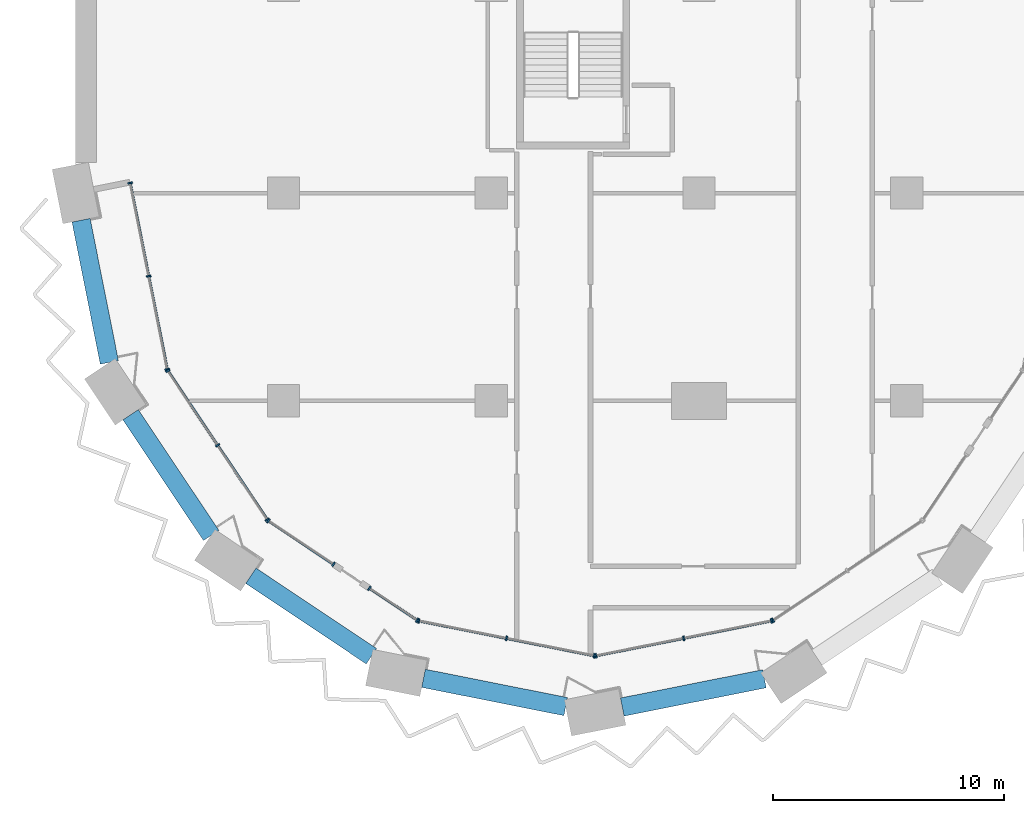
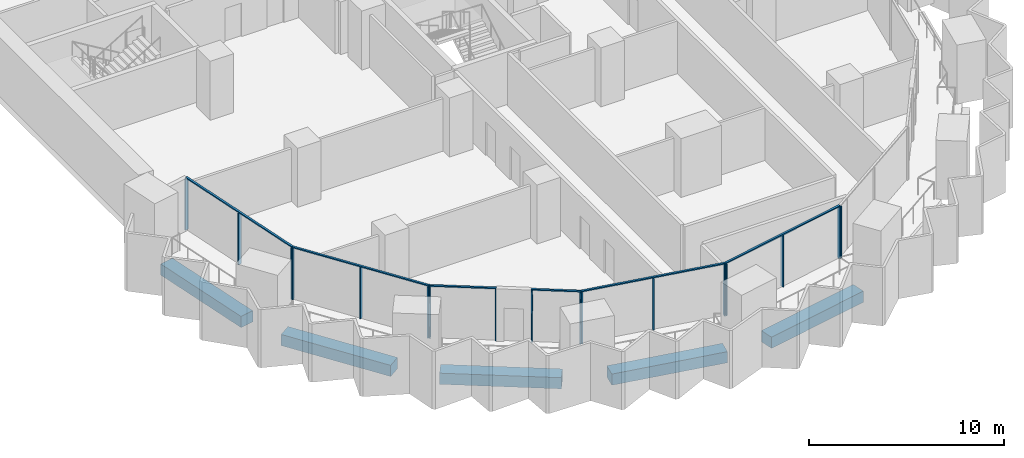
# One storey, part 2 of 29: 23 members, 5 beams, 7 elements without a shape of their own.
"""IFC4 building model written with IfcOpenShell, lengths in metres."""

from ifc_helpers import new_model, si_unit, direction, frame, origin, origin_2d, place, context, subcontext, project, spatial, rectangle, extrude, material, material_profile, profile_set, type_object, element, aggregate, save


model = new_model("IFC4")

# Units and contexts
model_context = context("Model", 3, precision=1e-05, world=origin(), true_north=direction((0.0, 1.0)))
body_context = subcontext(model_context, "Body", "Model", "MODEL_VIEW")
ifc_project = project(units=[si_unit("LENGTHUNIT", "METRE"), si_unit("AREAUNIT", "SQUARE_METRE"), si_unit("VOLUMEUNIT", "CUBIC_METRE"), si_unit("PLANEANGLEUNIT", "RADIAN"), si_unit("MASSUNIT", "GRAM", prefix="KILO")], contexts=[model_context])

# Site, building, storey
site_placement = place(None, origin())
site = spatial("IfcSite", under=ifc_project, at=site_placement, CompositionType="ELEMENT")
building_placement = place(site_placement, origin())
building = spatial("IfcBuilding", under=site, at=building_placement, Name="Hunhe Ridgeline Campus", CompositionType="ELEMENT")
storey_placement = place(building_placement, frame((0.0, 0.0, 46.89990234375)))
storey = spatial("IfcBuildingStorey", under=building, at=storey_placement, Name="L10", CompositionType="ELEMENT", Elevation=46.89990234375)

# Curtain wall, members
ifc_material_1 = material(Name="Aluminium 6063", Category="aluminium")
curtain_wall_type = type_object("IfcCurtainWallType", Name="Curtain wall CW-5", PredefinedType="NOTDEFINED", material=ifc_material_1)
curtain_wall_1_placement = place(storey_placement, origin())
curtain_wall_1 = element("IfcCurtainWall", 1, at=curtain_wall_1_placement, inside=storey, type_object=curtain_wall_type, Name="Curtain wall 01", PredefinedType="NOTDEFINED")
ifc_material_profile_1 = material_profile(ifc_material_1, rectangle(XDim=0.199951171875, YDim=0.070068359375, at=origin_2d()))
ifc_profile_set_1 = profile_set([ifc_material_profile_1], Name="Aluminium 6063")
member_type_1 = type_object("IfcMemberType", Name="CW-5 aluminium mullion", PredefinedType="MULLION", material=ifc_profile_set_1)
member_1_placement = place(storey_placement, frame((2.361572265625, 27.434326171875, 0.0), z_axis=(0.0, 0.0, 1.0), x_axis=(0.980784280831, 0.195095347137, 0.0)))
member_1 = element("IfcMember", 2, at=member_1_placement, type_object=member_type_1, Name="CW-5 mullion 1", PredefinedType="MULLION", context=body_context, shape_type="SweptSolid", body=[
    extrude(rectangle(XDim=0.199951171875, YDim=0.070068359375, at=origin_2d()), origin(), (0.0, 0.0, 1.0), 3.22998046875),
])
member_2_placement = place(storey_placement, frame((3.16455078125, 23.3974609375, 0.0), z_axis=(0.0, 0.0, 1.0), x_axis=(0.980784280831, 0.195095347137, 0.0)))
member_2 = element("IfcMember", 3, at=member_2_placement, type_object=member_type_1, Name="CW-5 mullion 2", PredefinedType="MULLION", context=body_context, shape_type="SweptSolid", body=[
    extrude(rectangle(XDim=0.199951171875, YDim=0.070068359375, at=origin_2d()), origin(), (0.0, 0.0, 1.0), 3.22998046875),
])
member_3_placement = place(storey_placement, frame((3.967529296875, 19.36083984375, 0.0), z_axis=(0.0, 0.0, 1.0), x_axis=(0.980784280831, 0.195095347137, 0.0)))
member_3 = element("IfcMember", 4, at=member_3_placement, type_object=member_type_1, Name="CW-5 mullion 3", PredefinedType="MULLION", context=body_context, shape_type="SweptSolid", body=[
    extrude(rectangle(XDim=0.199951171875, YDim=0.070068359375, at=origin_2d()), origin(), (0.0, 0.0, 1.0), 3.22998046875),
])

curtain_wall_2_placement = place(storey_placement, origin())
curtain_wall_2 = element("IfcCurtainWall", 5, at=curtain_wall_2_placement, inside=storey, type_object=curtain_wall_type, Name="Curtain wall 02", PredefinedType="NOTDEFINED")
member_4_placement = place(storey_placement, frame((3.993896484375, 19.29736328125, 0.0), z_axis=(0.0, 0.0, 1.0), x_axis=(0.831469584522, 0.555570274596, 0.0)))
member_4 = element("IfcMember", 6, at=member_4_placement, type_object=member_type_1, Name="CW-5 mullion 1", PredefinedType="MULLION", context=body_context, shape_type="SweptSolid", body=[
    extrude(rectangle(XDim=0.199951171875, YDim=0.070068359375, at=origin_2d()), origin(), (0.0, 0.0, 1.0), 3.22998046875),
])
member_5_placement = place(storey_placement, frame((6.147705078125, 16.07373046875, 0.0), z_axis=(0.0, 0.0, 1.0), x_axis=(0.831469584522, 0.555570274596, 0.0)))
member_5 = element("IfcMember", 7, at=member_5_placement, type_object=member_type_1, Name="CW-5 mullion 2", PredefinedType="MULLION", context=body_context, shape_type="SweptSolid", body=[
    extrude(rectangle(XDim=0.199951171875, YDim=0.070068359375, at=origin_2d()), origin(), (0.0, 0.0, 1.0), 3.22998046875),
])
member_6_placement = place(storey_placement, frame((8.3017578125, 12.850341796875, 0.0), z_axis=(0.0, 0.0, 1.0), x_axis=(0.831469584522, 0.555570274596, 0.0)))
member_6 = element("IfcMember", 8, at=member_6_placement, type_object=member_type_1, Name="CW-5 mullion 3", PredefinedType="MULLION", context=body_context, shape_type="SweptSolid", body=[
    extrude(rectangle(XDim=0.199951171875, YDim=0.070068359375, at=origin_2d()), origin(), (0.0, 0.0, 1.0), 3.22998046875),
])

curtain_wall_3_placement = place(storey_placement, origin())
curtain_wall_3 = element("IfcCurtainWall", 9, at=curtain_wall_3_placement, inside=storey, type_object=curtain_wall_type, Name="Curtain wall 03", PredefinedType="NOTDEFINED")
member_7_placement = place(storey_placement, frame((8.350341796875, 12.8017578125, 0.0), z_axis=(0.0, 0.0, 1.0), x_axis=(0.555570257501, 0.831469595944, 0.0)))
member_7 = element("IfcMember", 10, at=member_7_placement, type_object=member_type_1, Name="CW-5 mullion 1", PredefinedType="MULLION", context=body_context, shape_type="SweptSolid", body=[
    extrude(rectangle(XDim=0.199951171875, YDim=0.070068359375, at=origin_2d()), origin(), (0.0, 0.0, 1.0), 3.22998046875),
])
member_8_placement = place(storey_placement, frame((11.17041015625, 10.917236328125, 0.0), z_axis=(0.0, 0.0, 1.0), x_axis=(0.555570257501, 0.831469595944, 0.0)))
member_8 = element("IfcMember", 11, at=member_8_placement, type_object=member_type_1, Name="CW-5 mullion 2", PredefinedType="MULLION", context=body_context, shape_type="SweptSolid", body=[
    extrude(rectangle(XDim=0.199951171875, YDim=0.070068359375, at=origin_2d()), origin(), (0.0, 0.0, 1.0), 3.22998046875),
])

curtain_wall_4_placement = place(storey_placement, origin())
curtain_wall_4 = element("IfcCurtainWall", 12, at=curtain_wall_4_placement, inside=storey, type_object=curtain_wall_type, Name="Curtain wall 04", PredefinedType="NOTDEFINED")
member_9_placement = place(storey_placement, frame((12.725341796875, 9.87841796875, 0.0), z_axis=(0.0, 0.0, 1.0), x_axis=(0.555570385598, 0.831469510353, 0.0)))
member_9 = element("IfcMember", 13, at=member_9_placement, type_object=member_type_1, Name="CW-5 mullion 1", PredefinedType="MULLION", context=body_context, shape_type="SweptSolid", body=[
    extrude(rectangle(XDim=0.199951171875, YDim=0.070068359375, at=origin_2d()), origin(), (0.0, 0.0, 1.0), 3.22998046875),
])
member_10_placement = place(storey_placement, frame((14.79736328125, 8.493896484375, 0.0), z_axis=(0.0, 0.0, 1.0), x_axis=(0.555570385598, 0.831469510353, 0.0)))
member_10 = element("IfcMember", 14, at=member_10_placement, type_object=member_type_1, Name="CW-5 mullion 2", PredefinedType="MULLION", context=body_context, shape_type="SweptSolid", body=[
    extrude(rectangle(XDim=0.199951171875, YDim=0.070068359375, at=origin_2d()), origin(), (0.0, 0.0, 1.0), 3.22998046875),
])

curtain_wall_5_placement = place(storey_placement, origin())
curtain_wall_5 = element("IfcCurtainWall", 15, at=curtain_wall_5_placement, inside=storey, type_object=curtain_wall_type, Name="Curtain wall 05", PredefinedType="NOTDEFINED")
member_11_placement = place(storey_placement, frame((14.86083984375, 8.467529296875, 0.0), z_axis=(0.0, 0.0, 1.0), x_axis=(0.195090347539, 0.980785275326, 0.0)))
member_11 = element("IfcMember", 16, at=member_11_placement, type_object=member_type_1, Name="CW-5 mullion 1", PredefinedType="MULLION", context=body_context, shape_type="SweptSolid", body=[
    extrude(rectangle(XDim=0.199951171875, YDim=0.070068359375, at=origin_2d()), origin(), (0.0, 0.0, 1.0), 3.22998046875),
])
member_12_placement = place(storey_placement, frame((18.663330078125, 7.711181640625, 0.0), z_axis=(0.0, 0.0, 1.0), x_axis=(0.195090347539, 0.980785275326, 0.0)))
member_12 = element("IfcMember", 17, at=member_12_placement, type_object=member_type_1, Name="CW-5 mullion 2", PredefinedType="MULLION", context=body_context, shape_type="SweptSolid", body=[
    extrude(rectangle(XDim=0.199951171875, YDim=0.070068359375, at=origin_2d()), origin(), (0.0, 0.0, 1.0), 3.22998046875),
])
member_13_placement = place(storey_placement, frame((22.465576171875, 6.954833984375, 0.0), z_axis=(0.0, 0.0, 1.0), x_axis=(0.195090347539, 0.980785275326, 0.0)))
member_13 = element("IfcMember", 18, at=member_13_placement, type_object=member_type_1, Name="CW-5 mullion 3", PredefinedType="MULLION", context=body_context, shape_type="SweptSolid", body=[
    extrude(rectangle(XDim=0.199951171875, YDim=0.070068359375, at=origin_2d()), origin(), (0.0, 0.0, 1.0), 3.22998046875),
])

curtain_wall_6_placement = place(storey_placement, origin())
curtain_wall_6 = element("IfcCurtainWall", 19, at=curtain_wall_6_placement, inside=storey, type_object=curtain_wall_type, Name="Curtain wall 06", PredefinedType="NOTDEFINED")
member_14_placement = place(storey_placement, frame((22.534423828125, 6.954833984375, 0.0), z_axis=(0.0, 0.0, 1.0), x_axis=(-0.195090347539, 0.980785275326, 0.0)))
member_14 = element("IfcMember", 20, at=member_14_placement, type_object=member_type_1, Name="CW-5 mullion 1", PredefinedType="MULLION", context=body_context, shape_type="SweptSolid", body=[
    extrude(rectangle(XDim=0.199951171875, YDim=0.070068359375, at=origin_2d()), origin(), (0.0, 0.0, 1.0), 3.22998046875),
])
member_15_placement = place(storey_placement, frame((26.336669921875, 7.711181640625, 0.0), z_axis=(0.0, 0.0, 1.0), x_axis=(-0.195090347539, 0.980785275326, 0.0)))
member_15 = element("IfcMember", 21, at=member_15_placement, type_object=member_type_1, Name="CW-5 mullion 2", PredefinedType="MULLION", context=body_context, shape_type="SweptSolid", body=[
    extrude(rectangle(XDim=0.199951171875, YDim=0.070068359375, at=origin_2d()), origin(), (0.0, 0.0, 1.0), 3.22998046875),
])
member_16_placement = place(storey_placement, frame((30.13916015625, 8.467529296875, 0.0), z_axis=(0.0, 0.0, 1.0), x_axis=(-0.195090347539, 0.980785275326, 0.0)))
member_16 = element("IfcMember", 22, at=member_16_placement, type_object=member_type_1, Name="CW-5 mullion 3", PredefinedType="MULLION", context=body_context, shape_type="SweptSolid", body=[
    extrude(rectangle(XDim=0.199951171875, YDim=0.070068359375, at=origin_2d()), origin(), (0.0, 0.0, 1.0), 3.22998046875),
])

# Curtain wall, member
curtain_wall_7_placement = place(storey_placement, origin())
curtain_wall_7 = element("IfcCurtainWall", 23, at=curtain_wall_7_placement, inside=storey, type_object=curtain_wall_type, Name="Curtain wall 07", PredefinedType="NOTDEFINED")
member_17_placement = place(storey_placement, frame((30.20263671875, 8.493896484375, 0.0), z_axis=(0.0, 0.0, 1.0), x_axis=(-0.555570274596, 0.831469584522, 0.0)))
member_17 = element("IfcMember", 24, at=member_17_placement, type_object=member_type_1, Name="CW-5 mullion 1", PredefinedType="MULLION", context=body_context, shape_type="SweptSolid", body=[
    extrude(rectangle(XDim=0.199951171875, YDim=0.070068359375, at=origin_2d()), origin(), (0.0, 0.0, 1.0), 3.22998046875),
])
aggregate(curtain_wall_7, [member_17])

# Member
ifc_material_profile_2 = material_profile(ifc_material_1, rectangle(XDim=0.1201171875, YDim=0.070068359375, at=origin_2d()))
ifc_profile_set_2 = profile_set([ifc_material_profile_2], Name="Aluminium 6063")
member_type_2 = type_object("IfcMemberType", Name="CW-5 aluminium transom", PredefinedType="USERDEFINED", material=ifc_profile_set_2)
member_18_placement = place(storey_placement, frame((2.354736328125, 27.46875, 3.26513671875), z_axis=(0.195092405068, -0.980784866056, 0.0), x_axis=(0.980784866056, 0.195092405068, 0.0)))
member_18 = element("IfcMember", 25, at=member_18_placement, type_object=member_type_2, Name="CW-5 transom 1", ObjectType="TRANSOM", PredefinedType="USERDEFINED", context=body_context, shape_type="SweptSolid", body=[
    extrude(rectangle(XDim=0.1201171875, YDim=0.070068359375, at=origin_2d()), origin(), (0.0, 0.0, 1.0), 8.3017578125),
])

aggregate(curtain_wall_1, [member_18, member_1, member_2, member_3])

member_19_placement = place(storey_placement, frame((3.974365234375, 19.326416015625, 3.26513671875), z_axis=(0.5555640203, -0.831473763475, 0.0), x_axis=(0.831473763475, 0.5555640203, 0.0)))
member_19 = element("IfcMember", 26, at=member_19_placement, type_object=member_type_2, Name="CW-5 transom 1", ObjectType="TRANSOM", PredefinedType="USERDEFINED", context=body_context, shape_type="SweptSolid", body=[
    extrude(rectangle(XDim=0.1201171875, YDim=0.070068359375, at=origin_2d()), origin(), (0.0, 0.0, 1.0), 7.823974609375),
])

aggregate(curtain_wall_2, [member_19, member_4, member_5, member_6])

member_20_placement = place(storey_placement, frame((8.321044921875, 12.821044921875, 3.26513671875), z_axis=(0.831485714606, -0.555546133463, 0.0), x_axis=(0.555546133463, 0.831485714606, 0.0)))
member_20 = element("IfcMember", 27, at=member_20_placement, type_object=member_type_2, Name="CW-5 transom 1", ObjectType="TRANSOM", PredefinedType="USERDEFINED", context=body_context, shape_type="SweptSolid", body=[
    extrude(rectangle(XDim=0.1201171875, YDim=0.070068359375, at=origin_2d()), origin(), (0.0, 0.0, 1.0), 3.462158203125),
])

aggregate(curtain_wall_3, [member_20, member_7, member_8])

member_21_placement = place(storey_placement, frame((12.6962890625, 9.897705078125, 3.26513671875), z_axis=(0.831463388334, -0.555579547735, 0.0), x_axis=(0.555579547735, 0.831463388334, 0.0)))
member_21 = element("IfcMember", 28, at=member_21_placement, type_object=member_type_2, Name="CW-5 transom 1", ObjectType="TRANSOM", PredefinedType="USERDEFINED", context=body_context, shape_type="SweptSolid", body=[
    extrude(rectangle(XDim=0.1201171875, YDim=0.070068359375, at=origin_2d()), origin(), (0.0, 0.0, 1.0), 2.56201171875),
])

aggregate(curtain_wall_4, [member_21, member_9, member_10])

member_22_placement = place(storey_placement, frame((14.826416015625, 8.474365234375, 3.26513671875), z_axis=(0.980785367689, -0.195089883198, 0.0), x_axis=(0.195089883198, 0.980785367689, 0.0)))
member_22 = element("IfcMember", 29, at=member_22_placement, type_object=member_type_2, Name="CW-5 transom 1", ObjectType="TRANSOM", PredefinedType="USERDEFINED", context=body_context, shape_type="SweptSolid", body=[
    extrude(rectangle(XDim=0.1201171875, YDim=0.070068359375, at=origin_2d()), origin(), (0.0, 0.0, 1.0), 7.823974609375),
])

aggregate(curtain_wall_5, [member_22, member_11, member_12, member_13])

member_23_placement = place(storey_placement, frame((22.5, 6.947998046875, 3.26513671875), z_axis=(0.980785367689, 0.195089883198, 0.0), x_axis=(-0.195089883198, 0.980785367689, 0.0)))
member_23 = element("IfcMember", 30, at=member_23_placement, type_object=member_type_2, Name="CW-5 transom 1", ObjectType="TRANSOM", PredefinedType="USERDEFINED", context=body_context, shape_type="SweptSolid", body=[
    extrude(rectangle(XDim=0.1201171875, YDim=0.070068359375, at=origin_2d()), origin(), (0.0, 0.0, 1.0), 7.823974609375),
])

aggregate(curtain_wall_6, [member_23, member_14, member_15, member_16])

# Beams
ifc_material_2 = material(Name="Concrete C60", Category="concrete")
ifc_material_profile_3 = material_profile(ifc_material_2, rectangle(XDim=0.800048828125, YDim=0.699951171875, at=origin_2d()))
ifc_profile_set_3 = profile_set([ifc_material_profile_3], Name="Concrete C60")
beam_type = type_object("IfcBeamType", Name="RC spandrel beam 800x700 Concrete C60", PredefinedType="SPANDREL", material=ifc_profile_set_3)
for number, where, z_axis, x_axis, name in (
    (31, (0.234130859375, 25.822998046875, -0.599853515625), (0.195076855144, -0.980787959034, 0.0), (0.980787959034, 0.195076855144, 0.0), "Spandrel beam B1-1 L10"),
    (32, (2.37939453125, 17.391845703125, -0.599853515625), (0.555570106491, -0.831469696846, 0.0), (0.831469696846, 0.555570106491, 0.0), "Spandrel beam B1-2 L10"),
    (33, (7.587890625, 10.42333984375, -0.599853515625), (0.831469696846, -0.555570106491, 0.0), (0.555570106491, 0.831469696846, 0.0), "Spandrel beam B1-3 L10"),
    (34, (15.066650390625, 5.978515625, -0.599853515625), (0.980787959034, -0.195076855144, 0.0), (0.195076855144, 0.980787959034, 0.0), "Spandrel beam B1-4 L10"),
    (35, (23.677001953125, 4.734130859375, -0.599853515625), (0.980787959034, 0.195076855144, 0.0), (-0.195076855144, 0.980787959034, 0.0), "Spandrel beam B1-5 L10"),
):
    element("IfcBeam", number, at=place(storey_placement, frame(where, z_axis=z_axis, x_axis=x_axis)), inside=storey, type_object=beam_type, Name=name, PredefinedType="SPANDREL", context=body_context, shape_type="SweptSolid", body=[
        extrude(rectangle(XDim=0.800048828125, YDim=0.699951171875, at=origin_2d()), origin(), (0.0, 0.0, 1.0), 6.280029296875),
    ])

save(model, "model.ifc")
